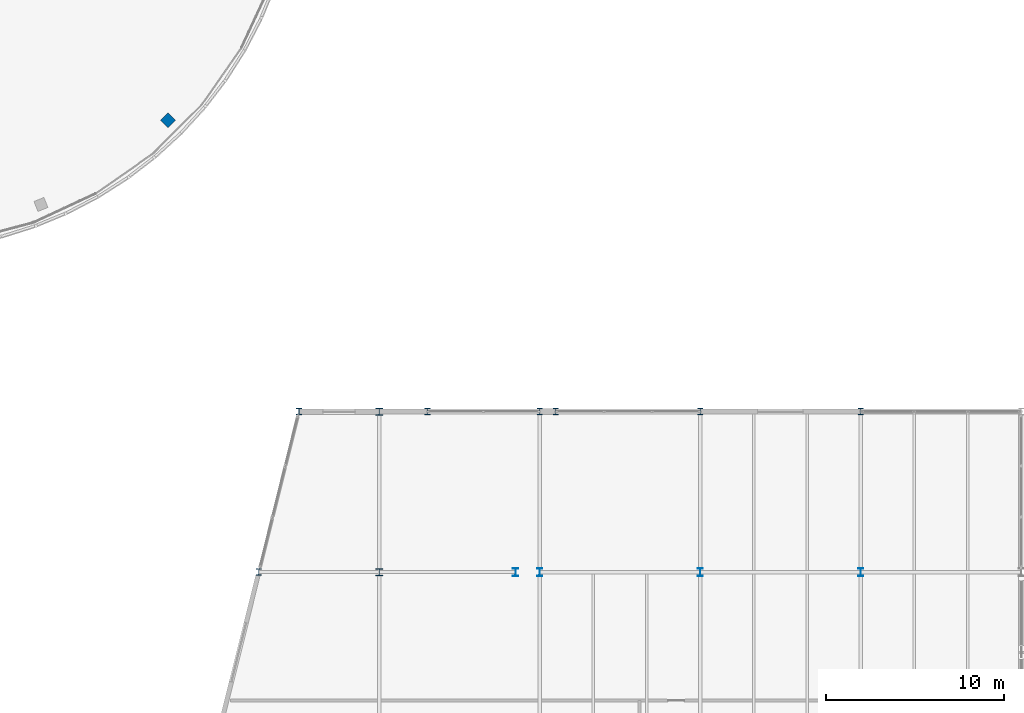
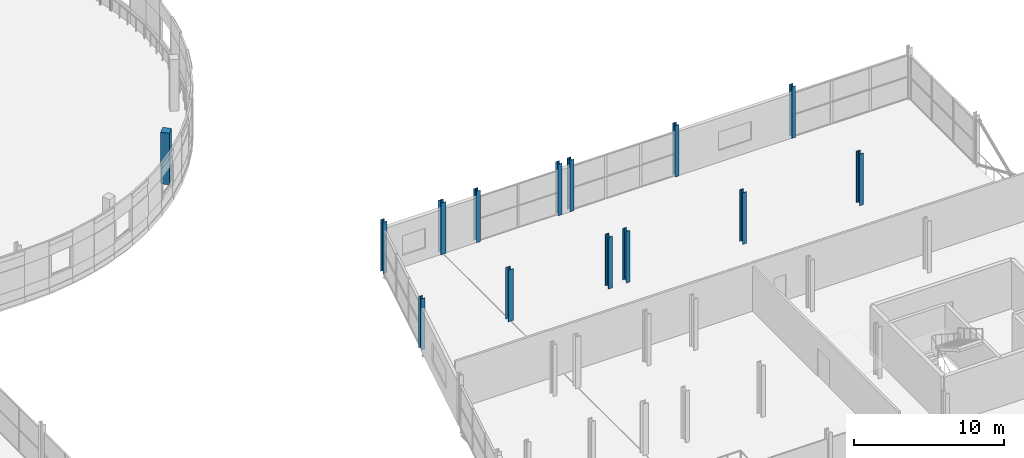
# One storey, part 14 of 103: 14 columns.
"""IFC4 building model written with IfcOpenShell, lengths in metres."""

from ifc_helpers import new_model, si_unit, direction, frame, origin, origin_2d, place, context, subcontext, project, spatial, rectangle, i_section, extrude, material, material_profile, profile_set, type_object, element, save


model = new_model("IFC4")

# Units and contexts
model_context = context("Model", 3, precision=1e-05, world=origin(), true_north=direction((0.0, 1.0)))
body_context = subcontext(model_context, "Body", "Model", "MODEL_VIEW")
ifc_project = project(units=[si_unit("LENGTHUNIT", "METRE"), si_unit("AREAUNIT", "SQUARE_METRE"), si_unit("VOLUMEUNIT", "CUBIC_METRE"), si_unit("PLANEANGLEUNIT", "RADIAN"), si_unit("MASSUNIT", "GRAM", prefix="KILO")], contexts=[model_context])

# Site, building, storey
site_placement = place(None, origin())
site = spatial("IfcSite", under=ifc_project, at=site_placement, CompositionType="ELEMENT")
building_placement = place(site_placement, origin())
building = spatial("IfcBuilding", under=site, at=building_placement, Name="Deido Ridge Mobility Hub", CompositionType="ELEMENT")
storey_placement = place(building_placement, frame((0.0, 0.0, 12.60009765625)))
storey = spatial("IfcBuildingStorey", under=building, at=storey_placement, Name="L03", CompositionType="ELEMENT", Elevation=12.60009765625)

# Columns
ifc_material_1 = material(Name="Steel S355J2 EN 10025-2", Category="steel")
ifc_material_profile_1 = material_profile(ifc_material_1, i_section(OverallWidth=0.39892578125, OverallDepth=0.39306640625, WebThickness=0.017578125, FlangeThickness=0.028076171875, FilletRadius=0.014892578125, at=origin_2d()), Name="HD 400x287")
ifc_profile_set_1 = profile_set([ifc_material_profile_1], Name="Steel S355J2 EN 10025-2")
column_type_1 = type_object("IfcColumnType", Name="COL-HD400-287", PredefinedType="COLUMN", material=ifc_profile_set_1)
for number, where, z_axis, x_axis, name in (
    (1, (144.0, 63.0, 0.0), (0.0, 0.0, 1.0), (1.0, 0.0, 0.0), "Structural column C2"),
    (2, (144.0, 72.0, 0.0), (0.0, 0.0, 1.0), (1.0, 0.0, 0.0), "Structural column C2"),
):
    element("IfcColumn", number, at=place(storey_placement, frame(where, z_axis=z_axis, x_axis=x_axis)), inside=storey, type_object=column_type_1, Name=name, PredefinedType="COLUMN", context=body_context, shape_type="SweptSolid", body=[
        extrude(i_section(OverallWidth=0.39892578125, OverallDepth=0.39306640625, WebThickness=0.017578125, FlangeThickness=0.028076171875, FilletRadius=0.014892578125, at=origin_2d()), origin(), (0.0, 0.0, 1.0), 4.199951171875),
    ])
ifc_material_profile_2 = material_profile(ifc_material_1, i_section(OverallWidth=0.300048828125, OverallDepth=0.360107421875, WebThickness=0.012451171875, FlangeThickness=0.0224609375, FilletRadius=0.027099609375, at=origin_2d()), Name="HEB 360")
ifc_profile_set_2 = profile_set([ifc_material_profile_2], Name="Steel S355J2 EN 10025-2")
column_type_2 = type_object("IfcColumnType", Name="COL-HEB360", PredefinedType="COLUMN", material=ifc_profile_set_2)
for number, where, z_axis, x_axis, name in (
    (3, (137.25, 63.0, 0.0), (0.0, 0.0, 1.0), (1.0, 0.0, 0.0), "Structural column C8"),
    (4, (139.5, 72.0, 0.0), (0.0, 0.0, 1.0), (1.0, 0.0, 0.0), "Structural column C8"),
    (5, (146.699951171875, 72.0, 0.0), (0.0, 0.0, 1.0), (1.0, 0.0, 0.0), "Structural column C8"),
    (6, (153.0, 72.0, 0.0), (0.0, 0.0, 1.0), (1.0, 0.0, 0.0), "Structural column C8"),
    (7, (153.89990234375, 72.0, 0.0), (0.0, 0.0, 1.0), (1.0, 0.0, 0.0), "Structural column C8"),
    (8, (162.0, 72.0, 0.0), (0.0, 0.0, 1.0), (1.0, 0.0, 0.0), "Structural column C8"),
    (9, (171.0, 72.0, 0.0), (0.0, 0.0, 1.0), (1.0, 0.0, 0.0), "Structural column C8"),
):
    element("IfcColumn", number, at=place(storey_placement, frame(where, z_axis=z_axis, x_axis=x_axis)), inside=storey, type_object=column_type_2, Name=name, PredefinedType="COLUMN", context=body_context, shape_type="SweptSolid", body=[
        extrude(i_section(OverallWidth=0.300048828125, OverallDepth=0.360107421875, WebThickness=0.012451171875, FlangeThickness=0.0224609375, FilletRadius=0.027099609375, at=origin_2d()), origin(), (0.0, 0.0, 1.0), 4.199951171875),
    ])
ifc_material_profile_3 = material_profile(ifc_material_1, i_section(OverallWidth=0.300048828125, OverallDepth=0.449951171875, WebThickness=0.013916015625, FlangeThickness=0.02587890625, FilletRadius=0.027099609375, at=origin_2d()), Name="HEB 450")
ifc_profile_set_3 = profile_set([ifc_material_profile_3], Name="Steel S355J2 EN 10025-2")
column_type_3 = type_object("IfcColumnType", Name="COL-HEB450", PredefinedType="COLUMN", material=ifc_profile_set_3)
for number, where, z_axis, x_axis, name in (
    (10, (151.64990234375, 63.0, 0.0), (0.0, 0.0, 1.0), (1.0, 0.0, 0.0), "Structural column C6"),
    (11, (153.0, 63.0, 0.0), (0.0, 0.0, 1.0), (1.0, 0.0, 0.0), "Structural column C6"),
    (12, (162.0, 63.0, 0.0), (0.0, 0.0, 1.0), (1.0, 0.0, 0.0), "Structural column C6"),
    (13, (171.0, 63.0, 0.0), (0.0, 0.0, 1.0), (1.0, 0.0, 0.0), "Structural column C6"),
):
    element("IfcColumn", number, at=place(storey_placement, frame(where, z_axis=z_axis, x_axis=x_axis)), inside=storey, type_object=column_type_3, Name=name, PredefinedType="COLUMN", context=body_context, shape_type="SweptSolid", body=[
        extrude(i_section(OverallWidth=0.300048828125, OverallDepth=0.449951171875, WebThickness=0.013916015625, FlangeThickness=0.02587890625, FilletRadius=0.027099609375, at=origin_2d()), origin(), (0.0, 0.0, 1.0), 4.199951171875),
    ])
ifc_material_2 = material(Name="Concrete C40/50", Category="concrete")
ifc_material_profile_4 = material_profile(ifc_material_2, rectangle(XDim=0.60009765625, YDim=0.60009765625, at=origin_2d()), Name="RC COL 600x600")
ifc_profile_set_4 = profile_set([ifc_material_profile_4], Name="Concrete C40/50")
column_type_4 = type_object("IfcColumnType", Name="COL-RC600", PredefinedType="COLUMN", material=ifc_profile_set_4)
column_placement = place(storey_placement, frame((132.16748046875, 88.33251953125, 0.0), z_axis=(0.0, 0.0, 1.0), x_axis=(0.707106781187, -0.707106781187, 0.0)))
element("IfcColumn", 14, at=column_placement, inside=storey, type_object=column_type_4, Name="Structural column RC2", PredefinedType="COLUMN", context=body_context, shape_type="SweptSolid", body=[
    extrude(rectangle(XDim=0.60009765625, YDim=0.60009765625, at=origin_2d()), origin(), (0.0, 0.0, 1.0), 4.199951171875),
])

save(model, "model.ifc")
